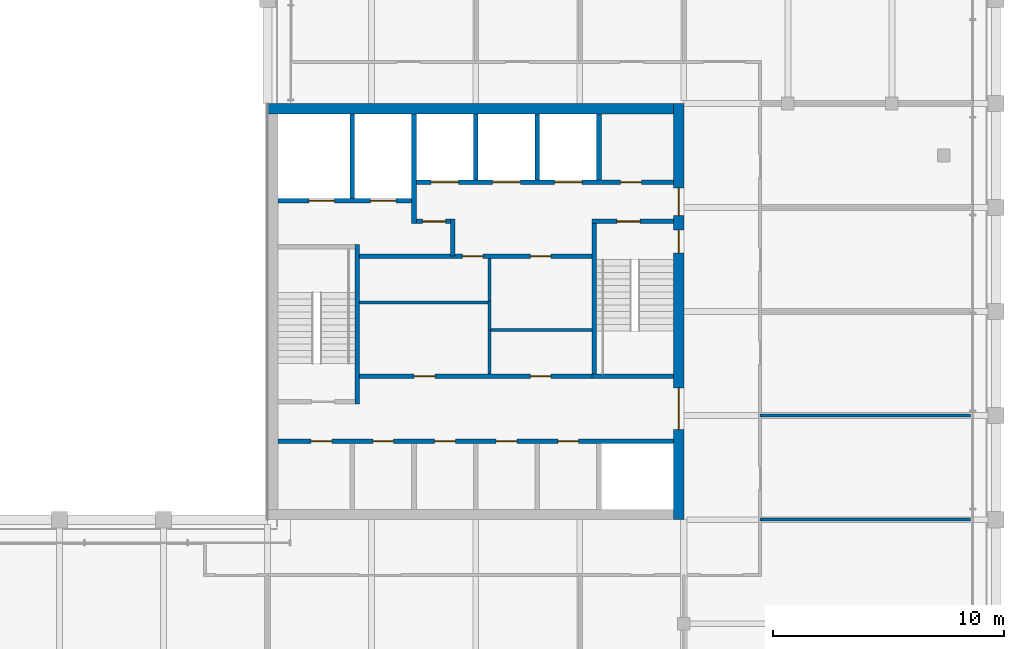
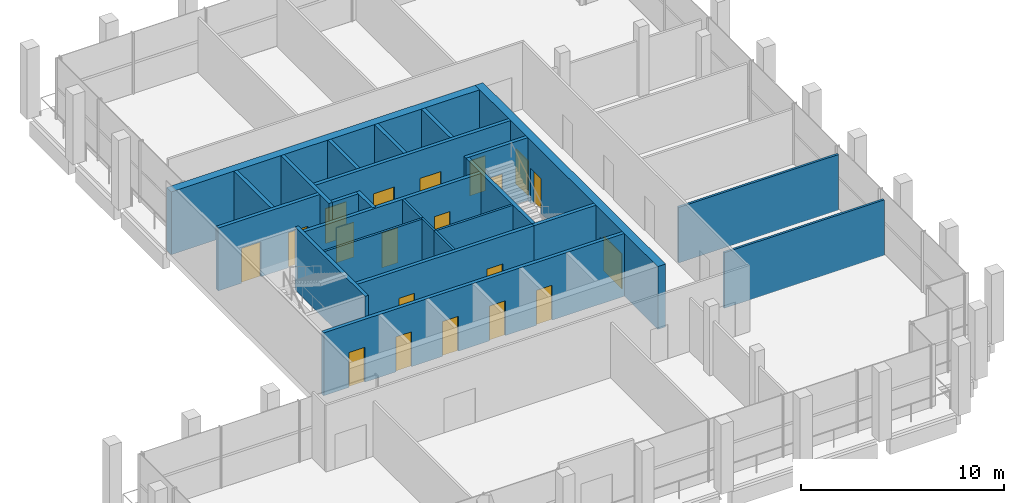
# One storey, part 15 of 17: 25 walls, 20 doors, 20 openings.
"""IFC4 building model written with IfcOpenShell, lengths in metres."""

from ifc_helpers import new_model, si_unit, direction, frame, frame_2d, origin, place, context, subcontext, project, spatial, rectangle, extrude, material, layer, layer_set, type_object, element, fill, save


model = new_model("IFC4")

# Units and contexts
model_context = context("Model", 3, precision=1e-05, world=origin(), true_north=direction((0.0, 1.0)))
body_context = subcontext(model_context, "Body", "Model", "MODEL_VIEW")
ifc_project = project(units=[si_unit("LENGTHUNIT", "METRE"), si_unit("AREAUNIT", "SQUARE_METRE"), si_unit("VOLUMEUNIT", "CUBIC_METRE"), si_unit("PLANEANGLEUNIT", "RADIAN"), si_unit("MASSUNIT", "GRAM", prefix="KILO")], contexts=[model_context])

# Site, building, storey
site_placement = place(None, origin())
site = spatial("IfcSite", under=ifc_project, at=site_placement, CompositionType="ELEMENT")
building_placement = place(site_placement, origin())
building = spatial("IfcBuilding", under=site, at=building_placement, Name="Altepetl Exchange Towers", CompositionType="ELEMENT")
storey_placement = place(building_placement, frame((0.0, 0.0, 255.199951171875)))
storey = spatial("IfcBuildingStorey", under=building, at=storey_placement, Name="L65", CompositionType="ELEMENT", Elevation=255.199951171875)

# Wall, openings, doors
ifc_material_1 = material(Name="Concrete C70/85", Category="concrete")
ifc_layer_1 = layer(ifc_material_1, 0.449951171875)
ifc_layer_set_1 = layer_set([ifc_layer_1], Name="Concrete C70/85")
wall_type_1 = type_object("IfcWallType", Name="Core wall 450 reinforced concrete", PredefinedType="SHEAR", material=ifc_layer_set_1)
wall_1_placement = place(storey_placement, frame((58.27490234375, 40.5, 0.0), z_axis=(0.0, 0.0, 1.0), x_axis=(0.0, 1.0, 0.0)))
wall_1 = element("IfcWall", 1, at=wall_1_placement, inside=storey, type_object=wall_type_1, Name="wall:A:L65:K-coreE", PredefinedType="SHEAR", context=body_context, shape_type="SweptSolid", body=[
    extrude(rectangle(XDim=18.0, YDim=0.449951171875, at=frame_2d((9.0, 0.0))), origin(), (0.0, 0.0, 1.0), 3.780029296875),
])
opening_1_placement = place(wall_1_placement, frame((13.14990234375, 0.0, 0.0)))
opening_1 = element("IfcOpeningElement", 2, at=opening_1_placement, cuts=wall_1, Name="Opening L65.A60", PredefinedType="OPENING", context=body_context, shape_type="SweptSolid", body=[
    extrude(rectangle(XDim=1.199951171875, YDim=2.10009765625, at=frame_2d((0.60009765625, 1.050048828125))), frame((0.0, 0.23486328125, 0.0), z_axis=(0.0, -1.0, 0.0), x_axis=(1.0, 0.0, 0.0)), (0.0, 0.0, 1.0), 0.469970703125),
])
opening_2_placement = place(wall_1_placement, frame((3.89990234375, 0.0, 0.0)))
opening_2 = element("IfcOpeningElement", 3, at=opening_2_placement, cuts=wall_1, Name="Opening L65.A61", PredefinedType="OPENING", context=body_context, shape_type="SweptSolid", body=[
    extrude(rectangle(XDim=1.800048828125, YDim=2.10009765625, at=frame_2d((0.89990234375, 1.050048828125))), frame((0.0, 0.23486328125, 0.0), z_axis=(0.0, -1.0, 0.0), x_axis=(1.0, 0.0, 0.0)), (0.0, 0.0, 1.0), 0.469970703125),
])
opening_3_placement = place(wall_1_placement, frame((11.52490234375, 0.0, 0.0)))
opening_3 = element("IfcOpeningElement", 4, at=opening_3_placement, cuts=wall_1, Name="Opening L65.A64", PredefinedType="OPENING", context=body_context, shape_type="SweptSolid", body=[
    extrude(rectangle(XDim=1.0, YDim=2.10009765625, at=frame_2d((0.5, 1.050048828125))), frame((0.0, 0.23486328125, 0.0), z_axis=(0.0, -1.0, 0.0), x_axis=(1.0, 0.0, 0.0)), (0.0, 0.0, 1.0), 0.469970703125),
])
ifc_material_2 = material(Name="Steel and timber fire door", Category="steel")
door_type_1 = type_object("IfcDoorType", Name="Fire door 1000 x 2100 stair and lobby", OperationType="SINGLE_SWING_LEFT", PredefinedType="DOOR", material=ifc_material_2)
door_1_placement = place(opening_3_placement, origin())
door_1 = element("IfcDoor", 5, at=door_1_placement, inside=storey, type_object=door_type_1, Name="door:A:L65:K-dS2x", OperationType="SINGLE_SWING_RIGHT", OverallHeight=2.10009765625, OverallWidth=1.0, PredefinedType="DOOR", context=body_context, shape_type="SweptSolid", body=[
    extrude(rectangle(XDim=1.0, YDim=2.10009765625, at=frame_2d((0.5, 1.050048828125))), frame((0.0, 0.02490234375, 0.0), z_axis=(0.0, -1.0, 0.0), x_axis=(1.0, 0.0, 0.0)), (0.0, 0.0, 1.0), 0.050048828125),
])
fill(opening_3, door_1)
door_type_2 = type_object("IfcDoorType", Name="Fire door 1200 x 2100 lobby entry", OperationType="SINGLE_SWING_LEFT", PredefinedType="DOOR", material=ifc_material_2)
door_2_placement = place(opening_1_placement, origin())
door_2 = element("IfcDoor", 6, at=door_2_placement, inside=storey, type_object=door_type_2, Name="door:A:L65:K-dLNE", OperationType="SINGLE_SWING_RIGHT", OverallHeight=2.10009765625, OverallWidth=1.199951171875, PredefinedType="DOOR", context=body_context, shape_type="SweptSolid", body=[
    extrude(rectangle(XDim=1.199951171875, YDim=2.10009765625, at=frame_2d((0.60009765625, 1.050048828125))), frame((0.0, 0.02490234375, 0.0), z_axis=(0.0, -1.0, 0.0), x_axis=(1.0, 0.0, 0.0)), (0.0, 0.0, 1.0), 0.050048828125),
])
fill(opening_1, door_2)
door_type_3 = type_object("IfcDoorType", Name="Fire door 1800 x 2100 lobby entry", OperationType="DOUBLE_DOOR_SINGLE_SWING", PredefinedType="DOOR", material=ifc_material_2)
door_3_placement = place(opening_2_placement, origin())
door_3 = element("IfcDoor", 7, at=door_3_placement, inside=storey, type_object=door_type_3, Name="door:A:L65:K-dLSE", OperationType="DOUBLE_DOOR_SINGLE_SWING", OverallHeight=2.10009765625, OverallWidth=1.800048828125, PredefinedType="DOOR", context=body_context, shape_type="SweptSolid", body=[
    extrude(rectangle(XDim=1.800048828125, YDim=2.10009765625, at=frame_2d((0.89990234375, 1.050048828125))), frame((0.0, 0.02490234375, 0.0), z_axis=(0.0, -1.0, 0.0), x_axis=(1.0, 0.0, 0.0)), (0.0, 0.0, 1.0), 0.050048828125),
])
fill(opening_2, door_3)

# Walls
wall_2_placement = place(storey_placement, frame((40.5, 58.27490234375, 0.0)))
element("IfcWall", 8, at=wall_2_placement, inside=storey, type_object=wall_type_1, Name="wall:A:L65:K-coreN", PredefinedType="SHEAR", context=body_context, shape_type="SweptSolid", body=[
    extrude(rectangle(XDim=17.550048828125, YDim=0.449951171875, at=frame_2d((8.77490234375, 0.0))), origin(), (0.0, 0.0, 1.0), 3.780029296875),
])
ifc_material_3 = material(Name="Concrete blockwork", Category="masonry")
ifc_layer_2 = layer(ifc_material_3, 0.199951171875)
ifc_layer_set_2 = layer_set([ifc_layer_2], Name="Concrete blockwork")
wall_type_2 = type_object("IfcWallType", Name="Lobby wall 200 blockwork", PredefinedType="PARTITIONING", material=ifc_layer_set_2)
wall_3_placement = place(storey_placement, frame((48.5, 51.89990234375, 0.0), z_axis=(0.0, 0.0, 1.0), x_axis=(0.0, 1.0, 0.0)))
element("IfcWall", 9, at=wall_3_placement, inside=storey, type_object=wall_type_2, Name="wall:A:L65:K-ffE", PredefinedType="PARTITIONING", context=body_context, shape_type="SweptSolid", body=[
    extrude(rectangle(XDim=1.60009765625, YDim=0.199951171875, at=frame_2d((0.800048828125, 0.0))), origin(), (0.0, 0.0, 1.0), 3.780029296875),
])

# Wall, opening, door
wall_4_placement = place(storey_placement, frame((46.933349609375, 53.39990234375, 0.0)))
wall_4 = element("IfcWall", 10, at=wall_4_placement, inside=storey, type_object=wall_type_2, Name="wall:A:L65:K-ffN", PredefinedType="PARTITIONING", context=body_context, shape_type="SweptSolid", body=[
    extrude(rectangle(XDim=1.466552734375, YDim=0.199951171875, at=frame_2d((0.7333984375, 0.0))), origin(), (0.0, 0.0, 1.0), 3.780029296875),
])
opening_4_placement = place(wall_4_placement, frame((0.2666015625, 0.0, 0.0)))
opening_4 = element("IfcOpeningElement", 11, at=opening_4_placement, cuts=wall_4, Name="Opening L65.A65", PredefinedType="OPENING", context=body_context, shape_type="SweptSolid", body=[
    extrude(rectangle(XDim=1.0, YDim=2.10009765625, at=frame_2d((0.5, 1.050048828125))), frame((0.0, 0.10986328125, 0.0), z_axis=(0.0, -1.0, 0.0), x_axis=(1.0, 0.0, 0.0)), (0.0, 0.0, 1.0), 0.219970703125),
])
door_4_placement = place(opening_4_placement, frame((1.0, 0.0, 0.0), x_axis=(-1.0, 0.0, 0.0)))
door_4 = element("IfcDoor", 12, at=door_4_placement, inside=storey, type_object=door_type_1, Name="door:A:L65:K-dffN", OperationType="SINGLE_SWING_RIGHT", OverallHeight=2.10009765625, OverallWidth=1.0, PredefinedType="DOOR", context=body_context, shape_type="SweptSolid", body=[
    extrude(rectangle(XDim=1.0, YDim=2.10009765625, at=frame_2d((0.5, 1.050048828125))), frame((0.0, 0.02490234375, 0.0), z_axis=(0.0, -1.0, 0.0), x_axis=(1.0, 0.0, 0.0)), (0.0, 0.0, 1.0), 0.050048828125),
])
fill(opening_4, door_4)

# Wall, openings, doors
wall_5_placement = place(storey_placement, frame((44.47998046875, 51.89990234375, 0.0)))
wall_5 = element("IfcWall", 13, at=wall_5_placement, inside=storey, type_object=wall_type_2, Name="wall:A:L65:K-zoneN", PredefinedType="PARTITIONING", context=body_context, shape_type="SweptSolid", body=[
    extrude(rectangle(XDim=10.0400390625, YDim=0.199951171875, at=frame_2d((5.02001953125, 0.0))), origin(), (0.0, 0.0, 1.0), 3.780029296875),
])
opening_5_placement = place(wall_5_placement, frame((4.445068359375, 0.0, 0.0)))
opening_5 = element("IfcOpeningElement", 14, at=opening_5_placement, cuts=wall_5, Name="Opening L65.A73", PredefinedType="OPENING", context=body_context, shape_type="SweptSolid", body=[
    extrude(rectangle(XDim=0.89990234375, YDim=2.10009765625, at=frame_2d((0.449951171875, 1.050048828125))), frame((0.0, 0.10986328125, 0.0), z_axis=(0.0, -1.0, 0.0), x_axis=(1.0, 0.0, 0.0)), (0.0, 0.0, 1.0), 0.219970703125),
])
opening_6_placement = place(wall_5_placement, frame((7.3798828125, 0.0, 0.0)))
opening_6 = element("IfcOpeningElement", 15, at=opening_6_placement, cuts=wall_5, Name="Opening L65.A75", PredefinedType="OPENING", context=body_context, shape_type="SweptSolid", body=[
    extrude(rectangle(XDim=0.89990234375, YDim=2.10009765625, at=frame_2d((0.449951171875, 1.050048828125))), frame((0.0, 0.10986328125, 0.0), z_axis=(0.0, -1.0, 0.0), x_axis=(1.0, 0.0, 0.0)), (0.0, 0.0, 1.0), 0.219970703125),
])
door_type_4 = type_object("IfcDoorType", Name="Fire door 900 x 2100 service room", OperationType="SINGLE_SWING_LEFT", PredefinedType="DOOR", material=ifc_material_2)
door_5_placement = place(opening_5_placement, frame((0.89990234375, 0.0, 0.0), x_axis=(-1.0, 0.0, 0.0)))
door_5 = element("IfcDoor", 16, at=door_5_placement, inside=storey, type_object=door_type_4, Name="door:A:L65:K-dz2", OperationType="SINGLE_SWING_RIGHT", OverallHeight=2.10009765625, OverallWidth=0.89990234375, PredefinedType="DOOR", context=body_context, shape_type="SweptSolid", body=[
    extrude(rectangle(XDim=0.89990234375, YDim=2.10009765625, at=frame_2d((0.449951171875, 1.050048828125))), frame((0.0, 0.02490234375, 0.0), z_axis=(0.0, -1.0, 0.0), x_axis=(1.0, 0.0, 0.0)), (0.0, 0.0, 1.0), 0.050048828125),
])
fill(opening_5, door_5)
door_6_placement = place(opening_6_placement, frame((0.89990234375, 0.0, 0.0), x_axis=(-1.0, 0.0, 0.0)))
door_6 = element("IfcDoor", 17, at=door_6_placement, inside=storey, type_object=door_type_4, Name="door:A:L65:K-dz4", OperationType="SINGLE_SWING_LEFT", OverallHeight=2.10009765625, OverallWidth=0.89990234375, PredefinedType="DOOR", context=body_context, shape_type="SweptSolid", body=[
    extrude(rectangle(XDim=0.89990234375, YDim=2.10009765625, at=frame_2d((0.449951171875, 1.050048828125))), frame((0.0, 0.02490234375, 0.0), z_axis=(0.0, -1.0, 0.0), x_axis=(1.0, 0.0, 0.0)), (0.0, 0.0, 1.0), 0.050048828125),
])
fill(opening_6, door_6)

wall_6_placement = place(storey_placement, frame((44.47998046875, 46.699951171875, 0.0)))
wall_6 = element("IfcWall", 18, at=wall_6_placement, inside=storey, type_object=wall_type_2, Name="wall:A:L65:K-zoneS", PredefinedType="PARTITIONING", context=body_context, shape_type="SweptSolid", body=[
    extrude(rectangle(XDim=10.0400390625, YDim=0.199951171875, at=frame_2d((5.02001953125, 0.0))), origin(), (0.0, 0.0, 1.0), 3.780029296875),
])
opening_7_placement = place(wall_6_placement, frame((2.360107421875, 0.0, 0.0)))
opening_7 = element("IfcOpeningElement", 19, at=opening_7_placement, cuts=wall_6, Name="Opening L65.A72", PredefinedType="OPENING", context=body_context, shape_type="SweptSolid", body=[
    extrude(rectangle(XDim=0.89990234375, YDim=2.10009765625, at=frame_2d((0.449951171875, 1.050048828125))), frame((0.0, 0.10986328125, 0.0), z_axis=(0.0, -1.0, 0.0), x_axis=(1.0, 0.0, 0.0)), (0.0, 0.0, 1.0), 0.219970703125),
])
opening_8_placement = place(wall_6_placement, frame((7.3798828125, 0.0, 0.0)))
opening_8 = element("IfcOpeningElement", 20, at=opening_8_placement, cuts=wall_6, Name="Opening L65.A74", PredefinedType="OPENING", context=body_context, shape_type="SweptSolid", body=[
    extrude(rectangle(XDim=0.89990234375, YDim=2.10009765625, at=frame_2d((0.449951171875, 1.050048828125))), frame((0.0, 0.10986328125, 0.0), z_axis=(0.0, -1.0, 0.0), x_axis=(1.0, 0.0, 0.0)), (0.0, 0.0, 1.0), 0.219970703125),
])
door_7_placement = place(opening_7_placement, origin())
door_7 = element("IfcDoor", 21, at=door_7_placement, inside=storey, type_object=door_type_4, Name="door:A:L65:K-dz1", OperationType="SINGLE_SWING_RIGHT", OverallHeight=2.10009765625, OverallWidth=0.89990234375, PredefinedType="DOOR", context=body_context, shape_type="SweptSolid", body=[
    extrude(rectangle(XDim=0.89990234375, YDim=2.10009765625, at=frame_2d((0.449951171875, 1.050048828125))), frame((0.0, 0.02490234375, 0.0), z_axis=(0.0, -1.0, 0.0), x_axis=(1.0, 0.0, 0.0)), (0.0, 0.0, 1.0), 0.050048828125),
])
fill(opening_7, door_7)
door_8_placement = place(opening_8_placement, origin())
door_8 = element("IfcDoor", 22, at=door_8_placement, inside=storey, type_object=door_type_4, Name="door:A:L65:K-dz3", OperationType="SINGLE_SWING_RIGHT", OverallHeight=2.10009765625, OverallWidth=0.89990234375, PredefinedType="DOOR", context=body_context, shape_type="SweptSolid", body=[
    extrude(rectangle(XDim=0.89990234375, YDim=2.10009765625, at=frame_2d((0.449951171875, 1.050048828125))), frame((0.0, 0.02490234375, 0.0), z_axis=(0.0, -1.0, 0.0), x_axis=(1.0, 0.0, 0.0)), (0.0, 0.0, 1.0), 0.050048828125),
])
fill(opening_8, door_8)

# Walls
ifc_material_4 = material(Name="Gypsum board on steel studs", Category="steel")
ifc_layer_3 = layer(ifc_material_4, 0.125)
ifc_layer_set_3 = layer_set([ifc_layer_3], Name="Gypsum board on steel studs")
wall_type_3 = type_object("IfcWallType", Name="Partition 125 gypsum board on steel studs", PredefinedType="PARTITIONING", material=ifc_layer_set_3)
wall_7_placement = place(storey_placement, frame((50.10009765625, 46.800048828125, 0.0), z_axis=(0.0, 0.0, 1.0), x_axis=(0.0, 1.0, 0.0)))
element("IfcWall", 23, at=wall_7_placement, inside=storey, type_object=wall_type_3, Name="wall:A:L65:K-zp1", PredefinedType="PARTITIONING", context=body_context, shape_type="SweptSolid", body=[
    extrude(rectangle(XDim=1.96240234375, YDim=0.125, at=frame_2d((0.981201171875, 0.0))), origin(), (0.0, 0.0, 1.0), 3.780029296875),
])
wall_8_placement = place(storey_placement, frame((54.52001953125, 48.699951171875, 0.0), z_axis=(0.0, 0.0, 1.0), x_axis=(-1.0, 0.0, 0.0)))
element("IfcWall", 24, at=wall_8_placement, inside=storey, type_object=wall_type_3, Name="wall:A:L65:K-zp2", PredefinedType="PARTITIONING", context=body_context, shape_type="SweptSolid", body=[
    extrude(rectangle(XDim=4.357421875, YDim=0.125, at=frame_2d((2.1787109375, 0.0))), origin(), (0.0, 0.0, 1.0), 3.780029296875),
])
wall_9_placement = place(storey_placement, frame((50.10009765625, 48.699951171875, 0.0), z_axis=(0.0, 0.0, 1.0), x_axis=(0.0, 1.0, 0.0)))
element("IfcWall", 25, at=wall_9_placement, inside=storey, type_object=wall_type_3, Name="wall:A:L65:K-zp3", PredefinedType="PARTITIONING", context=body_context, shape_type="SweptSolid", body=[
    extrude(rectangle(XDim=1.262451171875, YDim=0.125, at=frame_2d((0.63134765625, 0.0))), origin(), (0.0, 0.0, 1.0), 3.780029296875),
])
wall_10_placement = place(storey_placement, frame((50.03759765625, 49.89990234375, 0.0), z_axis=(0.0, 0.0, 1.0), x_axis=(-1.0, 0.0, 0.0)))
element("IfcWall", 26, at=wall_10_placement, inside=storey, type_object=wall_type_3, Name="wall:A:L65:K-zp4", PredefinedType="PARTITIONING", context=body_context, shape_type="SweptSolid", body=[
    extrude(rectangle(XDim=5.5576171875, YDim=0.125, at=frame_2d((2.77880859375, 0.0))), origin(), (0.0, 0.0, 1.0), 3.780029296875),
])
wall_11_placement = place(storey_placement, frame((50.10009765625, 49.89990234375, 0.0), z_axis=(0.0, 0.0, 1.0), x_axis=(0.0, 1.0, 0.0)))
element("IfcWall", 27, at=wall_11_placement, inside=storey, type_object=wall_type_3, Name="wall:A:L65:K-zp5", PredefinedType="PARTITIONING", context=body_context, shape_type="SweptSolid", body=[
    extrude(rectangle(XDim=1.900146484375, YDim=0.125, at=frame_2d((0.9501953125, 0.0))), origin(), (0.0, 0.0, 1.0), 3.780029296875),
])
for number, where, name in (
    (28, (61.800048828125, 40.5, 0.0), "wall:A:L65:P02"),
    (29, (61.800048828125, 45.0, 0.0), "wall:A:L65:P03"),
):
    element("IfcWall", number, at=place(storey_placement, frame(where)), inside=storey, type_object=wall_type_3, Name=name, PredefinedType="PARTITIONING", context=body_context, shape_type="SweptSolid", body=[
        extrude(rectangle(XDim=9.099853515625, YDim=0.125, at=frame_2d((4.5498046875, 0.0))), origin(), (0.0, 0.0, 1.0), 3.341064453125),
    ])
ifc_material_5 = material(Name="Concrete C40/50", Category="concrete")
ifc_layer_4 = layer(ifc_material_5, 0.199951171875)
ifc_layer_set_4 = layer_set([ifc_layer_4], Name="Concrete C40/50")
wall_type_4 = type_object("IfcWallType", Name="Shaft wall 200 reinforced concrete", PredefinedType="SHEAR", material=ifc_layer_set_4)
wall_12_placement = place(storey_placement, frame((44.166748046875, 58.050048828125, 0.0), z_axis=(0.0, 0.0, 1.0), x_axis=(0.0, -1.0, 0.0)))
element("IfcWall", 30, at=wall_12_placement, inside=storey, type_object=wall_type_4, Name="wall:A:L65:K-divN1", PredefinedType="SHEAR", context=body_context, shape_type="SweptSolid", body=[
    extrude(rectangle(XDim=3.650146484375, YDim=0.199951171875, at=frame_2d((1.8251953125, 0.0))), origin(), (0.0, 0.0, 1.0), 3.780029296875),
])
wall_13_placement = place(storey_placement, frame((46.833251953125, 58.050048828125, 0.0), z_axis=(0.0, 0.0, 1.0), x_axis=(0.0, -1.0, 0.0)))
element("IfcWall", 31, at=wall_13_placement, inside=storey, type_object=wall_type_4, Name="wall:A:L65:K-divN2", PredefinedType="SHEAR", context=body_context, shape_type="SweptSolid", body=[
    extrude(rectangle(XDim=4.75, YDim=0.199951171875, at=frame_2d((2.375, 0.0))), origin(), (0.0, 0.0, 1.0), 3.780029296875),
])
for number, where, z_axis, x_axis, name in (
    (32, (49.5, 58.050048828125, 0.0), (0.0, 0.0, 1.0), (0.0, -1.0, 0.0), "wall:A:L65:K-divN3"),
    (33, (52.166748046875, 58.050048828125, 0.0), (0.0, 0.0, 1.0), (0.0, -1.0, 0.0), "wall:A:L65:K-divN4"),
    (34, (54.833251953125, 58.050048828125, 0.0), (0.0, 0.0, 1.0), (0.0, -1.0, 0.0), "wall:A:L65:K-divN5"),
):
    element("IfcWall", number, at=place(storey_placement, frame(where, z_axis=z_axis, x_axis=x_axis)), inside=storey, type_object=wall_type_4, Name=name, PredefinedType="SHEAR", context=body_context, shape_type="SweptSolid", body=[
        extrude(rectangle(XDim=2.85009765625, YDim=0.199951171875, at=frame_2d((1.425048828125, 0.0))), origin(), (0.0, 0.0, 1.0), 3.780029296875),
    ])

# Wall, openings, doors
wall_14_placement = place(storey_placement, frame((46.933349609375, 55.10009765625, 0.0)))
wall_14 = element("IfcWall", 35, at=wall_14_placement, inside=storey, type_object=wall_type_4, Name="wall:A:L65:K-frontNb", PredefinedType="SHEAR", context=body_context, shape_type="SweptSolid", body=[
    extrude(rectangle(XDim=11.11669921875, YDim=0.199951171875, at=frame_2d((5.558349609375, 0.0))), origin(), (0.0, 0.0, 1.0), 3.780029296875),
])
opening_9_placement = place(wall_14_placement, frame((8.83349609375, 0.0, 0.0)))
opening_9 = element("IfcOpeningElement", 36, at=opening_9_placement, cuts=wall_14, Name="Opening L65.A66", PredefinedType="OPENING", context=body_context, shape_type="SweptSolid", body=[
    extrude(rectangle(XDim=0.89990234375, YDim=2.10009765625, at=frame_2d((0.449951171875, 1.050048828125))), frame((0.0, 0.10986328125, 0.0), z_axis=(0.0, -1.0, 0.0), x_axis=(1.0, 0.0, 0.0)), (0.0, 0.0, 1.0), 0.219970703125),
])
opening_10_placement = place(wall_14_placement, frame((0.63330078125, 0.0, 0.0)))
opening_10 = element("IfcOpeningElement", 37, at=opening_10_placement, cuts=wall_14, Name="Opening L65.A78", PredefinedType="OPENING", context=body_context, shape_type="SweptSolid", body=[
    extrude(rectangle(XDim=1.199951171875, YDim=2.10009765625, at=frame_2d((0.60009765625, 1.050048828125))), frame((0.0, 0.10986328125, 0.0), z_axis=(0.0, -1.0, 0.0), x_axis=(1.0, 0.0, 0.0)), (0.0, 0.0, 1.0), 0.219970703125),
])
opening_11_placement = place(wall_14_placement, frame((3.300048828125, 0.0, 0.0)))
opening_11 = element("IfcOpeningElement", 38, at=opening_11_placement, cuts=wall_14, Name="Opening L65.A79", PredefinedType="OPENING", context=body_context, shape_type="SweptSolid", body=[
    extrude(rectangle(XDim=1.199951171875, YDim=2.10009765625, at=frame_2d((0.60009765625, 1.050048828125))), frame((0.0, 0.10986328125, 0.0), z_axis=(0.0, -1.0, 0.0), x_axis=(1.0, 0.0, 0.0)), (0.0, 0.0, 1.0), 0.219970703125),
])
opening_12_placement = place(wall_14_placement, frame((5.966796875, 0.0, 0.0)))
opening_12 = element("IfcOpeningElement", 39, at=opening_12_placement, cuts=wall_14, Name="Opening L65.A80", PredefinedType="OPENING", context=body_context, shape_type="SweptSolid", body=[
    extrude(rectangle(XDim=1.199951171875, YDim=2.10009765625, at=frame_2d((0.60009765625, 1.050048828125))), frame((0.0, 0.10986328125, 0.0), z_axis=(0.0, -1.0, 0.0), x_axis=(1.0, 0.0, 0.0)), (0.0, 0.0, 1.0), 0.219970703125),
])
door_9_placement = place(opening_9_placement, origin())
door_9 = element("IfcDoor", 40, at=door_9_placement, inside=storey, type_object=door_type_4, Name="door:A:L65:K-driser", OperationType="SINGLE_SWING_RIGHT", OverallHeight=2.10009765625, OverallWidth=0.89990234375, PredefinedType="DOOR", context=body_context, shape_type="SweptSolid", body=[
    extrude(rectangle(XDim=0.89990234375, YDim=2.10009765625, at=frame_2d((0.449951171875, 1.050048828125))), frame((0.0, 0.02490234375, 0.0), z_axis=(0.0, -1.0, 0.0), x_axis=(1.0, 0.0, 0.0)), (0.0, 0.0, 1.0), 0.050048828125),
])
fill(opening_9, door_9)
ifc_material_6 = material(Name="Stainless steel", Category="steel")
door_type_5 = type_object("IfcDoorType", Name="Lift landing door 1200 x 2100", OperationType="SLIDING_TO_LEFT", PredefinedType="DOOR", material=ifc_material_6)
door_10_placement = place(opening_10_placement, origin())
door_10 = element("IfcDoor", 41, at=door_10_placement, inside=storey, type_object=door_type_5, Name="Landing door P5", OperationType="SLIDING_TO_LEFT", OverallHeight=2.10009765625, OverallWidth=1.199951171875, PredefinedType="DOOR", context=body_context, shape_type="SweptSolid", body=[
    extrude(rectangle(XDim=1.199951171875, YDim=2.10009765625, at=frame_2d((0.60009765625, 1.050048828125))), frame((0.0, 0.02490234375, 0.0), z_axis=(0.0, -1.0, 0.0), x_axis=(1.0, 0.0, 0.0)), (0.0, 0.0, 1.0), 0.050048828125),
])
fill(opening_10, door_10)
door_11_placement = place(opening_11_placement, origin())
door_11 = element("IfcDoor", 42, at=door_11_placement, inside=storey, type_object=door_type_5, Name="Landing door P6", OperationType="SLIDING_TO_LEFT", OverallHeight=2.10009765625, OverallWidth=1.199951171875, PredefinedType="DOOR", context=body_context, shape_type="SweptSolid", body=[
    extrude(rectangle(XDim=1.199951171875, YDim=2.10009765625, at=frame_2d((0.60009765625, 1.050048828125))), frame((0.0, 0.02490234375, 0.0), z_axis=(0.0, -1.0, 0.0), x_axis=(1.0, 0.0, 0.0)), (0.0, 0.0, 1.0), 0.050048828125),
])
fill(opening_11, door_11)
door_12_placement = place(opening_12_placement, origin())
door_12 = element("IfcDoor", 43, at=door_12_placement, inside=storey, type_object=door_type_5, Name="Landing door P7", OperationType="SLIDING_TO_LEFT", OverallHeight=2.10009765625, OverallWidth=1.199951171875, PredefinedType="DOOR", context=body_context, shape_type="SweptSolid", body=[
    extrude(rectangle(XDim=1.199951171875, YDim=2.10009765625, at=frame_2d((0.60009765625, 1.050048828125))), frame((0.0, 0.02490234375, 0.0), z_axis=(0.0, -1.0, 0.0), x_axis=(1.0, 0.0, 0.0)), (0.0, 0.0, 1.0), 0.050048828125),
])
fill(opening_12, door_12)

wall_15_placement = place(storey_placement, frame((40.949951171875, 54.300048828125, 0.0)))
wall_15 = element("IfcWall", 44, at=wall_15_placement, inside=storey, type_object=wall_type_4, Name="wall:A:L65:K-frontNd", PredefinedType="SHEAR", context=body_context, shape_type="SweptSolid", body=[
    extrude(rectangle(XDim=5.783447265625, YDim=0.199951171875, at=frame_2d((2.8916015625, 0.0))), origin(), (0.0, 0.0, 1.0), 3.780029296875),
])
opening_13_placement = place(wall_15_placement, frame((1.333251953125, 0.0, 0.0)))
opening_13 = element("IfcOpeningElement", 45, at=opening_13_placement, cuts=wall_15, Name="Opening L65.A76", PredefinedType="OPENING", context=body_context, shape_type="SweptSolid", body=[
    extrude(rectangle(XDim=1.10009765625, YDim=2.10009765625, at=frame_2d((0.550048828125, 1.050048828125))), frame((0.0, 0.10986328125, 0.0), z_axis=(0.0, -1.0, 0.0), x_axis=(1.0, 0.0, 0.0)), (0.0, 0.0, 1.0), 0.219970703125),
])
opening_14_placement = place(wall_15_placement, frame((4.0, 0.0, 0.0)))
opening_14 = element("IfcOpeningElement", 46, at=opening_14_placement, cuts=wall_15, Name="Opening L65.A77", PredefinedType="OPENING", context=body_context, shape_type="SweptSolid", body=[
    extrude(rectangle(XDim=1.10009765625, YDim=2.10009765625, at=frame_2d((0.550048828125, 1.050048828125))), frame((0.0, 0.10986328125, 0.0), z_axis=(0.0, -1.0, 0.0), x_axis=(1.0, 0.0, 0.0)), (0.0, 0.0, 1.0), 0.219970703125),
])
door_type_6 = type_object("IfcDoorType", Name="Lift landing door 1100 x 2100", OperationType="SLIDING_TO_LEFT", PredefinedType="DOOR", material=ifc_material_6)
door_13_placement = place(opening_13_placement, origin())
door_13 = element("IfcDoor", 47, at=door_13_placement, inside=storey, type_object=door_type_6, Name="Landing door FFL1", OperationType="SLIDING_TO_LEFT", OverallHeight=2.10009765625, OverallWidth=1.10009765625, PredefinedType="DOOR", context=body_context, shape_type="SweptSolid", body=[
    extrude(rectangle(XDim=1.10009765625, YDim=2.10009765625, at=frame_2d((0.550048828125, 1.050048828125))), frame((0.0, 0.02490234375, 0.0), z_axis=(0.0, -1.0, 0.0), x_axis=(1.0, 0.0, 0.0)), (0.0, 0.0, 1.0), 0.050048828125),
])
fill(opening_13, door_13)
door_14_placement = place(opening_14_placement, origin())
door_14 = element("IfcDoor", 48, at=door_14_placement, inside=storey, type_object=door_type_6, Name="Landing door FFL2", OperationType="SLIDING_TO_LEFT", OverallHeight=2.10009765625, OverallWidth=1.10009765625, PredefinedType="DOOR", context=body_context, shape_type="SweptSolid", body=[
    extrude(rectangle(XDim=1.10009765625, YDim=2.10009765625, at=frame_2d((0.550048828125, 1.050048828125))), frame((0.0, 0.02490234375, 0.0), z_axis=(0.0, -1.0, 0.0), x_axis=(1.0, 0.0, 0.0)), (0.0, 0.0, 1.0), 0.050048828125),
])
fill(opening_14, door_14)

wall_16_placement = place(storey_placement, frame((40.949951171875, 43.89990234375, 0.0)))
wall_16 = element("IfcWall", 49, at=wall_16_placement, inside=storey, type_object=wall_type_4, Name="wall:A:L65:K-frontS", PredefinedType="SHEAR", context=body_context, shape_type="SweptSolid", body=[
    extrude(rectangle(XDim=17.10009765625, YDim=0.199951171875, at=frame_2d((8.550048828125, 0.0))), origin(), (0.0, 0.0, 1.0), 3.780029296875),
])
opening_15_placement = place(wall_16_placement, frame((1.433349609375, 0.0, 0.0)))
opening_15 = element("IfcOpeningElement", 50, at=opening_15_placement, cuts=wall_16, Name="Opening L65.A67", PredefinedType="OPENING", context=body_context, shape_type="SweptSolid", body=[
    extrude(rectangle(XDim=0.89990234375, YDim=2.10009765625, at=frame_2d((0.449951171875, 1.050048828125))), frame((0.0, 0.10986328125, 0.0), z_axis=(0.0, -1.0, 0.0), x_axis=(1.0, 0.0, 0.0)), (0.0, 0.0, 1.0), 0.219970703125),
])
opening_16_placement = place(wall_16_placement, frame((4.10009765625, 0.0, 0.0)))
opening_16 = element("IfcOpeningElement", 51, at=opening_16_placement, cuts=wall_16, Name="Opening L65.A68", PredefinedType="OPENING", context=body_context, shape_type="SweptSolid", body=[
    extrude(rectangle(XDim=0.89990234375, YDim=2.10009765625, at=frame_2d((0.449951171875, 1.050048828125))), frame((0.0, 0.10986328125, 0.0), z_axis=(0.0, -1.0, 0.0), x_axis=(1.0, 0.0, 0.0)), (0.0, 0.0, 1.0), 0.219970703125),
])
opening_17_placement = place(wall_16_placement, frame((6.7666015625, 0.0, 0.0)))
opening_17 = element("IfcOpeningElement", 52, at=opening_17_placement, cuts=wall_16, Name="Opening L65.A69", PredefinedType="OPENING", context=body_context, shape_type="SweptSolid", body=[
    extrude(rectangle(XDim=0.89990234375, YDim=2.10009765625, at=frame_2d((0.449951171875, 1.050048828125))), frame((0.0, 0.10986328125, 0.0), z_axis=(0.0, -1.0, 0.0), x_axis=(1.0, 0.0, 0.0)), (0.0, 0.0, 1.0), 0.219970703125),
])
opening_18_placement = place(wall_16_placement, frame((9.433349609375, 0.0, 0.0)))
opening_18 = element("IfcOpeningElement", 53, at=opening_18_placement, cuts=wall_16, Name="Opening L65.A70", PredefinedType="OPENING", context=body_context, shape_type="SweptSolid", body=[
    extrude(rectangle(XDim=0.89990234375, YDim=2.10009765625, at=frame_2d((0.449951171875, 1.050048828125))), frame((0.0, 0.10986328125, 0.0), z_axis=(0.0, -1.0, 0.0), x_axis=(1.0, 0.0, 0.0)), (0.0, 0.0, 1.0), 0.219970703125),
])
opening_19_placement = place(wall_16_placement, frame((12.10009765625, 0.0, 0.0)))
opening_19 = element("IfcOpeningElement", 54, at=opening_19_placement, cuts=wall_16, Name="Opening L65.A71", PredefinedType="OPENING", context=body_context, shape_type="SweptSolid", body=[
    extrude(rectangle(XDim=0.89990234375, YDim=2.10009765625, at=frame_2d((0.449951171875, 1.050048828125))), frame((0.0, 0.10986328125, 0.0), z_axis=(0.0, -1.0, 0.0), x_axis=(1.0, 0.0, 0.0)), (0.0, 0.0, 1.0), 0.219970703125),
])
door_15_placement = place(opening_15_placement, frame((0.89990234375, 0.0, 0.0), x_axis=(-1.0, 0.0, 0.0)))
door_15 = element("IfcDoor", 55, at=door_15_placement, inside=storey, type_object=door_type_4, Name="door:A:L65:K-dslotS0", OperationType="SINGLE_SWING_LEFT", OverallHeight=2.10009765625, OverallWidth=0.89990234375, PredefinedType="DOOR", context=body_context, shape_type="SweptSolid", body=[
    extrude(rectangle(XDim=0.89990234375, YDim=2.10009765625, at=frame_2d((0.449951171875, 1.050048828125))), frame((0.0, 0.02490234375, 0.0), z_axis=(0.0, -1.0, 0.0), x_axis=(1.0, 0.0, 0.0)), (0.0, 0.0, 1.0), 0.050048828125),
])
fill(opening_15, door_15)
door_16_placement = place(opening_16_placement, frame((0.89990234375, 0.0, 0.0), x_axis=(-1.0, 0.0, 0.0)))
door_16 = element("IfcDoor", 56, at=door_16_placement, inside=storey, type_object=door_type_4, Name="door:A:L65:K-dslotS1", OperationType="SINGLE_SWING_LEFT", OverallHeight=2.10009765625, OverallWidth=0.89990234375, PredefinedType="DOOR", context=body_context, shape_type="SweptSolid", body=[
    extrude(rectangle(XDim=0.89990234375, YDim=2.10009765625, at=frame_2d((0.449951171875, 1.050048828125))), frame((0.0, 0.02490234375, 0.0), z_axis=(0.0, -1.0, 0.0), x_axis=(1.0, 0.0, 0.0)), (0.0, 0.0, 1.0), 0.050048828125),
])
fill(opening_16, door_16)
door_17_placement = place(opening_17_placement, frame((0.89990234375, 0.0, 0.0), x_axis=(-1.0, 0.0, 0.0)))
door_17 = element("IfcDoor", 57, at=door_17_placement, inside=storey, type_object=door_type_4, Name="door:A:L65:K-dslotS2", OperationType="SINGLE_SWING_LEFT", OverallHeight=2.10009765625, OverallWidth=0.89990234375, PredefinedType="DOOR", context=body_context, shape_type="SweptSolid", body=[
    extrude(rectangle(XDim=0.89990234375, YDim=2.10009765625, at=frame_2d((0.449951171875, 1.050048828125))), frame((0.0, 0.02490234375, 0.0), z_axis=(0.0, -1.0, 0.0), x_axis=(1.0, 0.0, 0.0)), (0.0, 0.0, 1.0), 0.050048828125),
])
fill(opening_17, door_17)
door_18_placement = place(opening_18_placement, frame((0.89990234375, 0.0, 0.0), x_axis=(-1.0, 0.0, 0.0)))
door_18 = element("IfcDoor", 58, at=door_18_placement, inside=storey, type_object=door_type_4, Name="door:A:L65:K-dslotS3", OperationType="SINGLE_SWING_LEFT", OverallHeight=2.10009765625, OverallWidth=0.89990234375, PredefinedType="DOOR", context=body_context, shape_type="SweptSolid", body=[
    extrude(rectangle(XDim=0.89990234375, YDim=2.10009765625, at=frame_2d((0.449951171875, 1.050048828125))), frame((0.0, 0.02490234375, 0.0), z_axis=(0.0, -1.0, 0.0), x_axis=(1.0, 0.0, 0.0)), (0.0, 0.0, 1.0), 0.050048828125),
])
fill(opening_18, door_18)
door_19_placement = place(opening_19_placement, frame((0.89990234375, 0.0, 0.0), x_axis=(-1.0, 0.0, 0.0)))
door_19 = element("IfcDoor", 59, at=door_19_placement, inside=storey, type_object=door_type_4, Name="door:A:L65:K-dslotS4", OperationType="SINGLE_SWING_LEFT", OverallHeight=2.10009765625, OverallWidth=0.89990234375, PredefinedType="DOOR", context=body_context, shape_type="SweptSolid", body=[
    extrude(rectangle(XDim=0.89990234375, YDim=2.10009765625, at=frame_2d((0.449951171875, 1.050048828125))), frame((0.0, 0.02490234375, 0.0), z_axis=(0.0, -1.0, 0.0), x_axis=(1.0, 0.0, 0.0)), (0.0, 0.0, 1.0), 0.050048828125),
])
fill(opening_19, door_19)

# Wall
ifc_layer_5 = layer(ifc_material_5, 0.199951171875)
ifc_layer_set_5 = layer_set([ifc_layer_5], Name="Concrete C40/50")
wall_type_5 = type_object("IfcWallType", Name="Stair wall 200 reinforced concrete", PredefinedType="SHEAR", material=ifc_layer_set_5)
wall_17_placement = place(storey_placement, frame((44.3798828125, 45.5, 0.0), z_axis=(0.0, 0.0, 1.0), x_axis=(0.0, 1.0, 0.0)))
element("IfcWall", 60, at=wall_17_placement, inside=storey, type_object=wall_type_5, Name="wall:A:L65:K-stS1E", PredefinedType="SHEAR", context=body_context, shape_type="SweptSolid", body=[
    extrude(rectangle(XDim=6.89990234375, YDim=0.199951171875, at=frame_2d((3.449951171875, 0.0))), origin(), (0.0, 0.0, 1.0), 3.780029296875),
])

# Wall, opening, door
wall_18_placement = place(storey_placement, frame((54.52001953125, 53.39990234375, 0.0)))
wall_18 = element("IfcWall", 61, at=wall_18_placement, inside=storey, type_object=wall_type_5, Name="wall:A:L65:K-stS2N", PredefinedType="SHEAR", context=body_context, shape_type="SweptSolid", body=[
    extrude(rectangle(XDim=3.530029296875, YDim=0.199951171875, at=frame_2d((1.76513671875, 0.0))), origin(), (0.0, 0.0, 1.0), 3.780029296875),
])
opening_20_placement = place(wall_18_placement, frame((1.090087890625, 0.0, 0.0)))
opening_20 = element("IfcOpeningElement", 62, at=opening_20_placement, cuts=wall_18, Name="Opening L65.A63", PredefinedType="OPENING", context=body_context, shape_type="SweptSolid", body=[
    extrude(rectangle(XDim=1.0, YDim=2.10009765625, at=frame_2d((0.5, 1.050048828125))), frame((0.0, 0.10986328125, 0.0), z_axis=(0.0, -1.0, 0.0), x_axis=(1.0, 0.0, 0.0)), (0.0, 0.0, 1.0), 0.219970703125),
])
door_20_placement = place(opening_20_placement, frame((1.0, 0.0, 0.0), x_axis=(-1.0, 0.0, 0.0)))
door_20 = element("IfcDoor", 63, at=door_20_placement, inside=storey, type_object=door_type_1, Name="door:A:L65:K-dS2in", OperationType="SINGLE_SWING_LEFT", OverallHeight=2.10009765625, OverallWidth=1.0, PredefinedType="DOOR", context=body_context, shape_type="SweptSolid", body=[
    extrude(rectangle(XDim=1.0, YDim=2.10009765625, at=frame_2d((0.5, 1.050048828125))), frame((0.0, 0.02490234375, 0.0), z_axis=(0.0, -1.0, 0.0), x_axis=(1.0, 0.0, 0.0)), (0.0, 0.0, 1.0), 0.050048828125),
])
fill(opening_20, door_20)

# Walls
wall_19_placement = place(storey_placement, frame((54.52001953125, 46.699951171875, 0.0)))
element("IfcWall", 64, at=wall_19_placement, inside=storey, type_object=wall_type_5, Name="wall:A:L65:K-stS2S", PredefinedType="SHEAR", context=body_context, shape_type="SweptSolid", body=[
    extrude(rectangle(XDim=3.530029296875, YDim=0.199951171875, at=frame_2d((1.76513671875, 0.0))), origin(), (0.0, 0.0, 1.0), 3.780029296875),
])
wall_20_placement = place(storey_placement, frame((54.6201171875, 46.800048828125, 0.0), z_axis=(0.0, 0.0, 1.0), x_axis=(0.0, 1.0, 0.0)))
element("IfcWall", 65, at=wall_20_placement, inside=storey, type_object=wall_type_5, Name="wall:A:L65:K-stS2W", PredefinedType="SHEAR", context=body_context, shape_type="SweptSolid", body=[
    extrude(rectangle(XDim=6.5, YDim=0.199951171875, at=frame_2d((3.25, 0.0))), origin(), (0.0, 0.0, 1.0), 3.780029296875),
])

save(model, "model.ifc")
